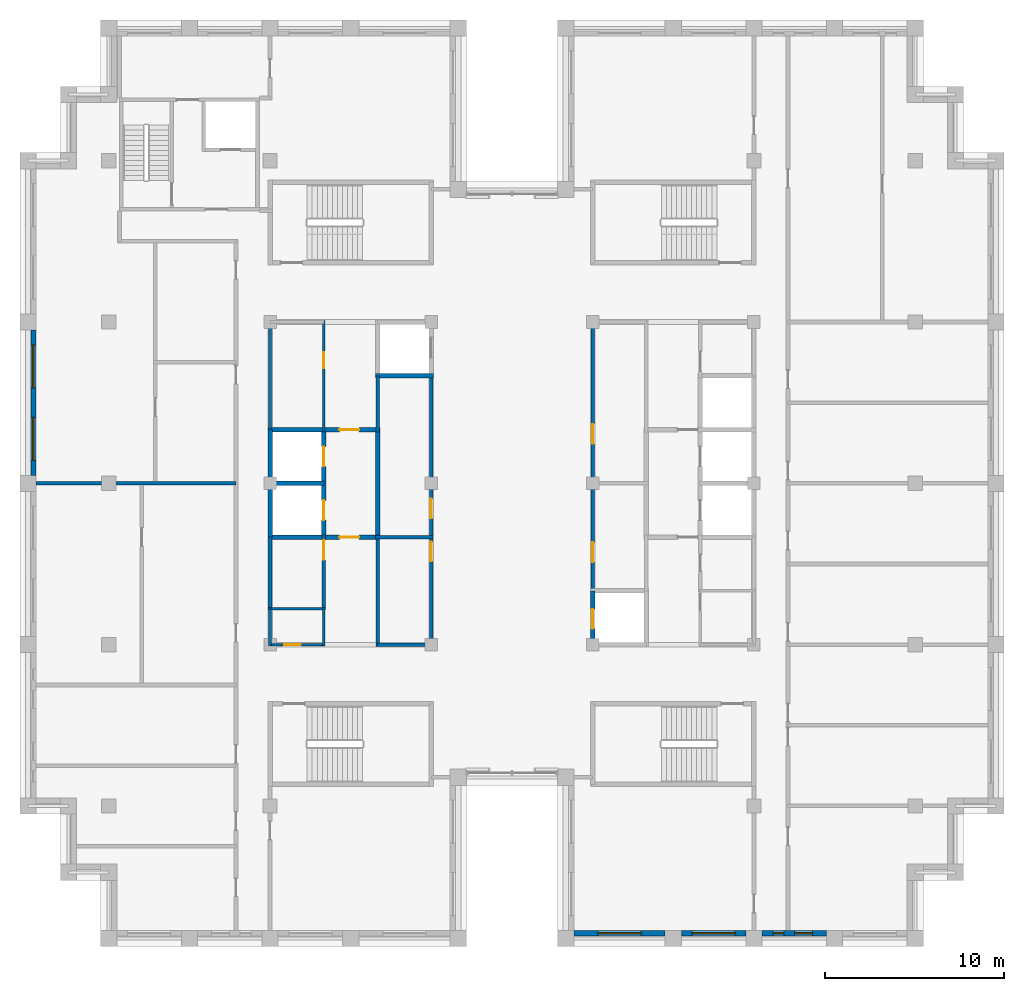
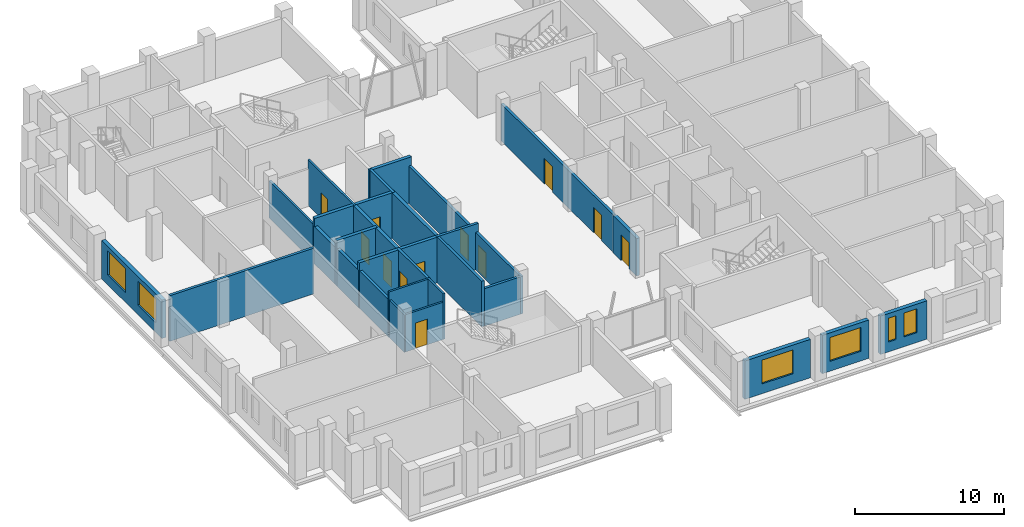
# One storey, part 7 of 13: 27 walls, 12 doors, 6 windows, 18 openings.
"""IFC4 building model written with IfcOpenShell, lengths in metres."""

from ifc_helpers import new_model, si_unit, direction, frame, frame_2d, origin, place, context, subcontext, project, spatial, rectangle, extrude, material, layer, layer_set, type_object, element, fill, save


model = new_model("IFC4")

# Units and contexts
model_context = context("Model", 3, precision=1e-05, world=origin(), true_north=direction((0.0, 1.0)))
body_context = subcontext(model_context, "Body", "Model", "MODEL_VIEW")
ifc_project = project(units=[si_unit("LENGTHUNIT", "METRE"), si_unit("AREAUNIT", "SQUARE_METRE"), si_unit("VOLUMEUNIT", "CUBIC_METRE"), si_unit("PLANEANGLEUNIT", "RADIAN"), si_unit("MASSUNIT", "GRAM", prefix="KILO")], contexts=[model_context])

# Site, building, storey
site_placement = place(None, origin())
site = spatial("IfcSite", under=ifc_project, at=site_placement, CompositionType="ELEMENT")
building_placement = place(site_placement, origin())
building = spatial("IfcBuilding", under=site, at=building_placement, Name="Corbelhall Arena Tower", CompositionType="ELEMENT")
storey_placement = place(building_placement, frame((0.0, 0.0, 342.0)))
storey = spatial("IfcBuildingStorey", under=building, at=storey_placement, Name="L75", CompositionType="ELEMENT", Elevation=342.0)

# Wall, openings, windows
ifc_material_1 = material(Name="Precast concrete C40/50 with granite facing", Category="masonry")
ifc_layer_1 = layer(ifc_material_1, 0.300048828125)
ifc_layer_set_1 = layer_set([ifc_layer_1], Name="EV-IW1 Infill panel 300")
wall_type_1 = type_object("IfcWallType", Name="EV-IW1 Infill panel 300", PredefinedType="SOLIDWALL", material=ifc_layer_set_1)
wall_1_placement = place(storey_placement, frame((-26.699951171875, 8.550048828125, 0.0), z_axis=(0.0, 0.0, 1.0), x_axis=(0.0, -1.0, 0.0)))
wall_1 = element("IfcWall", 1, at=wall_1_placement, inside=storey, type_object=wall_type_1, Name="Infill panel IW1", PredefinedType="SOLIDWALL", context=body_context, shape_type="SweptSolid", body=[
    extrude(rectangle(XDim=8.10009765625, YDim=0.300048828125, at=frame_2d((4.050048828125, 0.0))), origin(), (0.0, 0.0, 1.0), 3.139892578125),
])
opening_1_placement = place(wall_1_placement, frame((0.824951171875, 0.0, 0.800048828125)))
opening_1 = element("IfcOpeningElement", 2, at=opening_1_placement, cuts=wall_1, Name="Opening WN1", PredefinedType="OPENING", context=body_context, shape_type="SweptSolid", body=[
    extrude(rectangle(XDim=2.39990234375, YDim=1.949951171875, at=frame_2d((1.199951171875, 0.97509765625))), frame((0.0, 0.14990234375, 0.0), z_axis=(0.0, -1.0, 0.0), x_axis=(1.0, 0.0, 0.0)), (0.0, 0.0, 1.0), 0.300048828125),
])
opening_2_placement = place(wall_1_placement, frame((4.875, 0.0, 0.800048828125)))
opening_2 = element("IfcOpeningElement", 3, at=opening_2_placement, cuts=wall_1, Name="Opening WN1", PredefinedType="OPENING", context=body_context, shape_type="SweptSolid", body=[
    extrude(rectangle(XDim=2.39990234375, YDim=1.949951171875, at=frame_2d((1.199951171875, 0.97509765625))), frame((0.0, 0.14990234375, 0.0), z_axis=(0.0, -1.0, 0.0), x_axis=(1.0, 0.0, 0.0)), (0.0, 0.0, 1.0), 0.300048828125),
])
ifc_material_2 = material(Name="Aluminium black anodised", Category="aluminium")
window_type_1 = type_object("IfcWindowType", Name="EV-WN1 Office window", PartitioningType="SINGLE_PANEL", PredefinedType="WINDOW", material=ifc_material_2)
window_1_placement = place(opening_1_placement, origin())
window_1 = element("IfcWindow", 4, at=window_1_placement, inside=storey, type_object=window_type_1, Name="Window WN1", OverallHeight=1.949951171875, OverallWidth=2.39990234375, PartitioningType="SINGLE_PANEL", PredefinedType="WINDOW", context=body_context, shape_type="SweptSolid", body=[
    extrude(rectangle(XDim=2.39990234375, YDim=1.949951171875, at=frame_2d((1.199951171875, 0.97509765625))), frame((0.0, 0.030029296875, 0.0), z_axis=(0.0, -1.0, 0.0), x_axis=(1.0, 0.0, 0.0)), (0.0, 0.0, 1.0), 0.06005859375),
])
fill(opening_1, window_1)
window_2_placement = place(opening_2_placement, origin())
window_2 = element("IfcWindow", 5, at=window_2_placement, inside=storey, type_object=window_type_1, Name="Window WN1", OverallHeight=1.949951171875, OverallWidth=2.39990234375, PartitioningType="SINGLE_PANEL", PredefinedType="WINDOW", context=body_context, shape_type="SweptSolid", body=[
    extrude(rectangle(XDim=2.39990234375, YDim=1.949951171875, at=frame_2d((1.199951171875, 0.97509765625))), frame((0.0, 0.030029296875, 0.0), z_axis=(0.0, -1.0, 0.0), x_axis=(1.0, 0.0, 0.0)), (0.0, 0.0, 1.0), 0.06005859375),
])
fill(opening_2, window_2)

# Wall, opening, window
wall_2_placement = place(storey_placement, frame((3.449951171875, -25.10009765625, 0.0), z_axis=(0.0, 0.0, 1.0), x_axis=(1.0, 0.0, 0.0)))
wall_2 = element("IfcWall", 6, at=wall_2_placement, inside=storey, type_object=wall_type_1, Name="Infill panel IW1", PredefinedType="SOLIDWALL", context=body_context, shape_type="SweptSolid", body=[
    extrude(rectangle(XDim=5.10009765625, YDim=0.300048828125, at=frame_2d((2.550048828125, 0.0))), origin(), (0.0, 0.0, 1.0), 3.139892578125),
])
opening_3_placement = place(wall_2_placement, frame((1.35009765625, 0.0, 0.800048828125)))
opening_3 = element("IfcOpeningElement", 7, at=opening_3_placement, cuts=wall_2, Name="Opening WN1", PredefinedType="OPENING", context=body_context, shape_type="SweptSolid", body=[
    extrude(rectangle(XDim=2.39990234375, YDim=1.949951171875, at=frame_2d((1.199951171875, 0.97509765625))), frame((0.0, 0.14990234375, 0.0), z_axis=(0.0, -1.0, 0.0), x_axis=(1.0, 0.0, 0.0)), (0.0, 0.0, 1.0), 0.300048828125),
])
window_3_placement = place(opening_3_placement, origin())
window_3 = element("IfcWindow", 8, at=window_3_placement, inside=storey, type_object=window_type_1, Name="Window WN1", OverallHeight=1.949951171875, OverallWidth=2.39990234375, PartitioningType="SINGLE_PANEL", PredefinedType="WINDOW", context=body_context, shape_type="SweptSolid", body=[
    extrude(rectangle(XDim=2.39990234375, YDim=1.949951171875, at=frame_2d((1.199951171875, 0.97509765625))), frame((0.0, 0.030029296875, 0.0), z_axis=(0.0, -1.0, 0.0), x_axis=(1.0, 0.0, 0.0)), (0.0, 0.0, 1.0), 0.06005859375),
])
fill(opening_3, window_3)

wall_3_placement = place(storey_placement, frame((9.449951171875, -25.10009765625, 0.0), z_axis=(0.0, 0.0, 1.0), x_axis=(1.0, 0.0, 0.0)))
wall_3 = element("IfcWall", 9, at=wall_3_placement, inside=storey, type_object=wall_type_1, Name="Infill panel IW1", PredefinedType="SOLIDWALL", context=body_context, shape_type="SweptSolid", body=[
    extrude(rectangle(XDim=3.60009765625, YDim=0.300048828125, at=frame_2d((1.800048828125, 0.0))), origin(), (0.0, 0.0, 1.0), 3.139892578125),
])
opening_4_placement = place(wall_3_placement, frame((0.60009765625, 0.0, 0.800048828125)))
opening_4 = element("IfcOpeningElement", 10, at=opening_4_placement, cuts=wall_3, Name="Opening WN1", PredefinedType="OPENING", context=body_context, shape_type="SweptSolid", body=[
    extrude(rectangle(XDim=2.39990234375, YDim=1.949951171875, at=frame_2d((1.199951171875, 0.97509765625))), frame((0.0, 0.14990234375, 0.0), z_axis=(0.0, -1.0, 0.0), x_axis=(1.0, 0.0, 0.0)), (0.0, 0.0, 1.0), 0.300048828125),
])
window_4_placement = place(opening_4_placement, origin())
window_4 = element("IfcWindow", 11, at=window_4_placement, inside=storey, type_object=window_type_1, Name="Window WN1", OverallHeight=1.949951171875, OverallWidth=2.39990234375, PartitioningType="SINGLE_PANEL", PredefinedType="WINDOW", context=body_context, shape_type="SweptSolid", body=[
    extrude(rectangle(XDim=2.39990234375, YDim=1.949951171875, at=frame_2d((1.199951171875, 0.97509765625))), frame((0.0, 0.030029296875, 0.0), z_axis=(0.0, -1.0, 0.0), x_axis=(1.0, 0.0, 0.0)), (0.0, 0.0, 1.0), 0.06005859375),
])
fill(opening_4, window_4)

# Wall, openings, windows
wall_4_placement = place(storey_placement, frame((13.949951171875, -25.10009765625, 0.0), z_axis=(0.0, 0.0, 1.0), x_axis=(1.0, 0.0, 0.0)))
wall_4 = element("IfcWall", 12, at=wall_4_placement, inside=storey, type_object=wall_type_1, Name="Infill panel IW1", PredefinedType="SOLIDWALL", context=body_context, shape_type="SweptSolid", body=[
    extrude(rectangle(XDim=3.60009765625, YDim=0.300048828125, at=frame_2d((1.800048828125, 0.0))), origin(), (0.0, 0.0, 1.0), 3.139892578125),
])
opening_5_placement = place(wall_4_placement, frame((0.625, 0.0, 0.800048828125)))
opening_5 = element("IfcOpeningElement", 13, at=opening_5_placement, cuts=wall_4, Name="Opening WN5", PredefinedType="OPENING", context=body_context, shape_type="SweptSolid", body=[
    extrude(rectangle(XDim=0.60009765625, YDim=1.949951171875, at=frame_2d((0.300048828125, 0.97509765625))), frame((0.0, 0.14990234375, 0.0), z_axis=(0.0, -1.0, 0.0), x_axis=(1.0, 0.0, 0.0)), (0.0, 0.0, 1.0), 0.300048828125),
])
opening_6_placement = place(wall_4_placement, frame((1.824951171875, 0.0, 0.800048828125)))
opening_6 = element("IfcOpeningElement", 14, at=opening_6_placement, cuts=wall_4, Name="Opening WN6", PredefinedType="OPENING", context=body_context, shape_type="SweptSolid", body=[
    extrude(rectangle(XDim=1.0, YDim=1.949951171875, at=frame_2d((0.5, 0.97509765625))), frame((0.0, 0.14990234375, 0.0), z_axis=(0.0, -1.0, 0.0), x_axis=(1.0, 0.0, 0.0)), (0.0, 0.0, 1.0), 0.300048828125),
])
window_type_2 = type_object("IfcWindowType", Name="EV-WN5 Office window 600", PartitioningType="SINGLE_PANEL", PredefinedType="WINDOW", material=ifc_material_2)
window_5_placement = place(opening_5_placement, origin())
window_5 = element("IfcWindow", 15, at=window_5_placement, inside=storey, type_object=window_type_2, Name="Window WN5", OverallHeight=1.949951171875, OverallWidth=0.60009765625, PartitioningType="SINGLE_PANEL", PredefinedType="WINDOW", context=body_context, shape_type="SweptSolid", body=[
    extrude(rectangle(XDim=0.60009765625, YDim=1.949951171875, at=frame_2d((0.300048828125, 0.97509765625))), frame((0.0, 0.030029296875, 0.0), z_axis=(0.0, -1.0, 0.0), x_axis=(1.0, 0.0, 0.0)), (0.0, 0.0, 1.0), 0.06005859375),
])
fill(opening_5, window_5)
window_type_3 = type_object("IfcWindowType", Name="EV-WN6 Office window 1000", PartitioningType="SINGLE_PANEL", PredefinedType="WINDOW", material=ifc_material_2)
window_6_placement = place(opening_6_placement, origin())
window_6 = element("IfcWindow", 16, at=window_6_placement, inside=storey, type_object=window_type_3, Name="Window WN6", OverallHeight=1.949951171875, OverallWidth=1.0, PartitioningType="SINGLE_PANEL", PredefinedType="WINDOW", context=body_context, shape_type="SweptSolid", body=[
    extrude(rectangle(XDim=1.0, YDim=1.949951171875, at=frame_2d((0.5, 0.97509765625))), frame((0.0, 0.030029296875, 0.0), z_axis=(0.0, -1.0, 0.0), x_axis=(1.0, 0.0, 0.0)), (0.0, 0.0, 1.0), 0.06005859375),
])
fill(opening_6, window_6)

# Wall
ifc_material_3 = material(Name="Gypsum board on steel stud, acoustic", Category="steel")
ifc_layer_2 = layer(ifc_material_3, 0.199951171875)
ifc_layer_set_2 = layer_set([ifc_layer_2], Name="IN-W-DM200")
wall_type_2 = type_object("IfcWallType", Name="IN-W-DM200", PredefinedType="PARTITIONING", material=ifc_layer_set_2)
wall_5_placement = place(storey_placement, frame((-15.39990234375, 0.0, 0.0), z_axis=(0.0, 0.0, 1.0), x_axis=(-1.0, 0.0, 0.0)))
element("IfcWall", 17, at=wall_5_placement, inside=storey, type_object=wall_type_2, Name="Partition 007", PredefinedType="PARTITIONING", context=body_context, shape_type="SweptSolid", body=[
    extrude(rectangle(XDim=11.150146484375, YDim=0.199951171875, at=frame_2d((5.5751953125, 0.0))), origin(), (0.0, 0.0, 1.0), 3.739990234375),
])

# Wall, opening, door
ifc_material_4 = material(Name="Concrete block wall", Category="concrete")
ifc_layer_3 = layer(ifc_material_4, 0.199951171875)
ifc_layer_set_3 = layer_set([ifc_layer_3], Name="IN-W-RS200")
wall_type_3 = type_object("IfcWallType", Name="IN-W-RS200", PredefinedType="SOLIDWALL", material=ifc_layer_set_3)
wall_6_placement = place(storey_placement, frame((-10.5, -7.074951171875, 0.0), z_axis=(0.0, 0.0, 1.0), x_axis=(0.0, 1.0, 0.0)))
wall_6 = element("IfcWall", 18, at=wall_6_placement, inside=storey, type_object=wall_type_3, Name="Partition 032", PredefinedType="SOLIDWALL", context=body_context, shape_type="SweptSolid", body=[
    extrude(rectangle(XDim=4.199951171875, YDim=0.199951171875, at=frame_2d((2.10009765625, 0.0))), origin(), (0.0, 0.0, 1.0), 3.739990234375),
])
opening_7_placement = place(wall_6_placement, frame((2.800048828125, 0.0, 0.0)))
opening_7 = element("IfcOpeningElement", 19, at=opening_7_placement, cuts=wall_6, Name="Opening 24006", PredefinedType="OPENING", context=body_context, shape_type="SweptSolid", body=[
    extrude(rectangle(XDim=1.10009765625, YDim=2.10009765625, at=frame_2d((0.550048828125, 1.050048828125))), frame((0.0, 0.10009765625, 0.0), z_axis=(0.0, -1.0, 0.0), x_axis=(1.0, 0.0, 0.0)), (0.0, 0.0, 1.0), 0.199951171875),
])
ifc_material_5 = material(Name="Steel door set", Category="steel")
door_type_1 = type_object("IfcDoorType", Name="IN-D-FD110", OperationType="NOTDEFINED", PredefinedType="DOOR", material=ifc_material_5)
door_1_placement = place(opening_7_placement, origin())
door_1 = element("IfcDoor", 20, at=door_1_placement, inside=storey, type_object=door_type_1, Name="Door 006", OperationType="SINGLE_SWING_LEFT", OverallHeight=2.10009765625, OverallWidth=1.10009765625, PredefinedType="DOOR", context=body_context, shape_type="SweptSolid", body=[
    extrude(rectangle(XDim=1.10009765625, YDim=2.10009765625, at=frame_2d((0.550048828125, 1.050048828125))), frame((0.0, 0.02490234375, 0.0), z_axis=(0.0, -1.0, 0.0), x_axis=(1.0, 0.0, 0.0)), (0.0, 0.0, 1.0), 0.050048828125),
])
fill(opening_7, door_1)

# Walls
wall_7_placement = place(storey_placement, frame((-7.625, -3.0, 0.0), z_axis=(0.0, 0.0, 1.0), x_axis=(1.0, 0.0, 0.0)))
element("IfcWall", 21, at=wall_7_placement, inside=storey, type_object=wall_type_3, Name="Partition 033", PredefinedType="SOLIDWALL", context=body_context, shape_type="SweptSolid", body=[
    extrude(rectangle(XDim=3.22509765625, YDim=0.199951171875, at=frame_2d((1.612548828125, 0.0))), origin(), (0.0, 0.0, 1.0), 3.739990234375),
])
wall_8_placement = place(storey_placement, frame((-7.5, -9.10009765625, 0.0), z_axis=(0.0, 0.0, 1.0), x_axis=(0.0, 1.0, 0.0)))
element("IfcWall", 22, at=wall_8_placement, inside=storey, type_object=wall_type_3, Name="Partition 034", PredefinedType="SOLIDWALL", context=body_context, shape_type="SweptSolid", body=[
    extrude(rectangle(XDim=6.22509765625, YDim=0.199951171875, at=frame_2d((3.112548828125, 0.0))), origin(), (0.0, 0.0, 1.0), 3.739990234375),
])
wall_9_placement = place(storey_placement, frame((-7.5, 2.875, 0.0), z_axis=(0.0, 0.0, 1.0), x_axis=(0.0, 1.0, 0.0)))
element("IfcWall", 23, at=wall_9_placement, inside=storey, type_object=wall_type_3, Name="Partition 035", PredefinedType="SOLIDWALL", context=body_context, shape_type="SweptSolid", body=[
    extrude(rectangle(XDim=3.125, YDim=0.199951171875, at=frame_2d((1.5625, 0.0))), origin(), (0.0, 0.0, 1.0), 3.739990234375),
])
ifc_layer_4 = layer(ifc_material_4, 0.199951171875)
ifc_layer_set_4 = layer_set([ifc_layer_4], Name="IN-W-RS200 under beam 678 mm")
wall_type_4 = type_object("IfcWallType", Name="IN-W-RS200 under beam 678 mm", PredefinedType="SOLIDWALL", material=ifc_layer_set_4)
wall_10_placement = place(storey_placement, frame((-13.5, -7.0, 0.0), z_axis=(0.0, 0.0, 1.0), x_axis=(0.0, 1.0, 0.0)))
element("IfcWall", 24, at=wall_10_placement, inside=storey, type_object=wall_type_4, Name="Partition 031", PredefinedType="SOLIDWALL", context=body_context, shape_type="SweptSolid", body=[
    extrude(rectangle(XDim=4.0, YDim=0.199951171875, at=frame_2d((2.0, 0.0))), origin(), (0.0, 0.0, 1.0), 3.061767578125),
])
wall_11_placement = place(storey_placement, frame((-4.5, -9.0, 0.0), z_axis=(0.0, 0.0, 1.0), x_axis=(-1.0, 0.0, 0.0)))
element("IfcWall", 25, at=wall_11_placement, inside=storey, type_object=wall_type_4, Name="Partition 036", PredefinedType="SOLIDWALL", context=body_context, shape_type="SweptSolid", body=[
    extrude(rectangle(XDim=3.0, YDim=0.199951171875, at=frame_2d((1.5, 0.0))), origin(), (0.0, 0.0, 1.0), 3.061767578125),
])

# Wall, openings, doors
wall_12_placement = place(storey_placement, frame((-4.5, 6.0, 0.0), z_axis=(0.0, 0.0, 1.0), x_axis=(0.0, -1.0, 0.0)))
wall_12 = element("IfcWall", 26, at=wall_12_placement, inside=storey, type_object=wall_type_4, Name="Partition 037", PredefinedType="SOLIDWALL", context=body_context, shape_type="SweptSolid", body=[
    extrude(rectangle(XDim=15.10009765625, YDim=0.199951171875, at=frame_2d((7.550048828125, 0.0))), origin(), (0.0, 0.0, 1.0), 3.061767578125),
])
opening_8_placement = place(wall_12_placement, frame((9.25, 0.0, 0.0)))
opening_8 = element("IfcOpeningElement", 27, at=opening_8_placement, cuts=wall_12, Name="Opening 24001", PredefinedType="OPENING", context=body_context, shape_type="SweptSolid", body=[
    extrude(rectangle(XDim=1.10009765625, YDim=2.10009765625, at=frame_2d((0.550048828125, 1.050048828125))), frame((0.0, 0.10009765625, 0.0), z_axis=(0.0, -1.0, 0.0), x_axis=(1.0, 0.0, 0.0)), (0.0, 0.0, 1.0), 0.199951171875),
])
opening_9_placement = place(wall_12_placement, frame((6.85009765625, 0.0, 0.0)))
opening_9 = element("IfcOpeningElement", 28, at=opening_9_placement, cuts=wall_12, Name="Opening 24002", PredefinedType="OPENING", context=body_context, shape_type="SweptSolid", body=[
    extrude(rectangle(XDim=1.10009765625, YDim=2.10009765625, at=frame_2d((0.550048828125, 1.050048828125))), frame((0.0, 0.10009765625, 0.0), z_axis=(0.0, -1.0, 0.0), x_axis=(1.0, 0.0, 0.0)), (0.0, 0.0, 1.0), 0.199951171875),
])
door_2_placement = place(opening_8_placement, origin())
door_2 = element("IfcDoor", 29, at=door_2_placement, inside=storey, type_object=door_type_1, Name="Door 001", OperationType="SINGLE_SWING_RIGHT", OverallHeight=2.10009765625, OverallWidth=1.10009765625, PredefinedType="DOOR", context=body_context, shape_type="SweptSolid", body=[
    extrude(rectangle(XDim=1.10009765625, YDim=2.10009765625, at=frame_2d((0.550048828125, 1.050048828125))), frame((0.0, 0.02490234375, 0.0), z_axis=(0.0, -1.0, 0.0), x_axis=(1.0, 0.0, 0.0)), (0.0, 0.0, 1.0), 0.050048828125),
])
fill(opening_8, door_2)
door_3_placement = place(opening_9_placement, origin())
door_3 = element("IfcDoor", 30, at=door_3_placement, inside=storey, type_object=door_type_1, Name="Door 002", OperationType="SINGLE_SWING_LEFT", OverallHeight=2.10009765625, OverallWidth=1.10009765625, PredefinedType="DOOR", context=body_context, shape_type="SweptSolid", body=[
    extrude(rectangle(XDim=1.10009765625, YDim=2.10009765625, at=frame_2d((0.550048828125, 1.050048828125))), frame((0.0, 0.02490234375, 0.0), z_axis=(0.0, -1.0, 0.0), x_axis=(1.0, 0.0, 0.0)), (0.0, 0.0, 1.0), 0.050048828125),
])
fill(opening_9, door_3)

wall_13_placement = place(storey_placement, frame((4.5, -6.0, 0.0), z_axis=(0.0, 0.0, 1.0), x_axis=(0.0, 1.0, 0.0)))
wall_13 = element("IfcWall", 31, at=wall_13_placement, inside=storey, type_object=wall_type_4, Name="Partition 039", PredefinedType="SOLIDWALL", context=body_context, shape_type="SweptSolid", body=[
    extrude(rectangle(XDim=15.10009765625, YDim=0.199951171875, at=frame_2d((7.550048828125, 0.0))), origin(), (0.0, 0.0, 1.0), 3.061767578125),
])
opening_10_placement = place(wall_13_placement, frame((1.60009765625, 0.0, 0.0)))
opening_10 = element("IfcOpeningElement", 32, at=opening_10_placement, cuts=wall_13, Name="Opening 24008", PredefinedType="OPENING", context=body_context, shape_type="SweptSolid", body=[
    extrude(rectangle(XDim=1.10009765625, YDim=2.10009765625, at=frame_2d((0.550048828125, 1.050048828125))), frame((0.0, 0.10009765625, 0.0), z_axis=(0.0, -1.0, 0.0), x_axis=(1.0, 0.0, 0.0)), (0.0, 0.0, 1.0), 0.199951171875),
])
opening_11_placement = place(wall_13_placement, frame((8.199951171875, 0.0, 0.0)))
opening_11 = element("IfcOpeningElement", 33, at=opening_11_placement, cuts=wall_13, Name="Opening 24009", PredefinedType="OPENING", context=body_context, shape_type="SweptSolid", body=[
    extrude(rectangle(XDim=1.10009765625, YDim=2.10009765625, at=frame_2d((0.550048828125, 1.050048828125))), frame((0.0, 0.10009765625, 0.0), z_axis=(0.0, -1.0, 0.0), x_axis=(1.0, 0.0, 0.0)), (0.0, 0.0, 1.0), 0.199951171875),
])
door_4_placement = place(opening_10_placement, origin())
door_4 = element("IfcDoor", 34, at=door_4_placement, inside=storey, type_object=door_type_1, Name="Door 008", OperationType="SINGLE_SWING_LEFT", OverallHeight=2.10009765625, OverallWidth=1.10009765625, PredefinedType="DOOR", context=body_context, shape_type="SweptSolid", body=[
    extrude(rectangle(XDim=1.10009765625, YDim=2.10009765625, at=frame_2d((0.550048828125, 1.050048828125))), frame((0.0, 0.02490234375, 0.0), z_axis=(0.0, -1.0, 0.0), x_axis=(1.0, 0.0, 0.0)), (0.0, 0.0, 1.0), 0.050048828125),
])
fill(opening_10, door_4)
door_5_placement = place(opening_11_placement, origin())
door_5 = element("IfcDoor", 35, at=door_5_placement, inside=storey, type_object=door_type_1, Name="Door 009", OperationType="SINGLE_SWING_RIGHT", OverallHeight=2.10009765625, OverallWidth=1.10009765625, PredefinedType="DOOR", context=body_context, shape_type="SweptSolid", body=[
    extrude(rectangle(XDim=1.10009765625, YDim=2.10009765625, at=frame_2d((0.550048828125, 1.050048828125))), frame((0.0, 0.02490234375, 0.0), z_axis=(0.0, -1.0, 0.0), x_axis=(1.0, 0.0, 0.0)), (0.0, 0.0, 1.0), 0.050048828125),
])
fill(opening_11, door_5)

# Wall
ifc_material_6 = material(Name="Concrete C40/50", Category="concrete")
ifc_layer_5 = layer(ifc_material_6, 0.25)
ifc_layer_set_5 = layer_set([ifc_layer_5], Name="IN-W-SH250")
wall_type_5 = type_object("IfcWallType", Name="IN-W-SH250", PredefinedType="SOLIDWALL", material=ifc_layer_set_5)
wall_14_placement = place(storey_placement, frame((-13.625, 0.0, 0.0), z_axis=(0.0, 0.0, 1.0), x_axis=(1.0, 0.0, 0.0)))
element("IfcWall", 36, at=wall_14_placement, inside=storey, type_object=wall_type_5, Name="Shaft wall 048", PredefinedType="SOLIDWALL", context=body_context, shape_type="SweptSolid", body=[
    extrude(rectangle(XDim=3.125, YDim=0.25, at=frame_2d((1.5625, 0.0))), origin(), (0.0, 0.0, 1.0), 3.739990234375),
])

# Wall, opening, door
wall_15_placement = place(storey_placement, frame((-13.625, 3.0, 0.0), z_axis=(0.0, 0.0, 1.0), x_axis=(1.0, 0.0, 0.0)))
wall_15 = element("IfcWall", 37, at=wall_15_placement, inside=storey, type_object=wall_type_5, Name="Shaft wall 049", PredefinedType="SOLIDWALL", context=body_context, shape_type="SweptSolid", body=[
    extrude(rectangle(XDim=6.125, YDim=0.25, at=frame_2d((3.0625, 0.0))), origin(), (0.0, 0.0, 1.0), 3.739990234375),
])
opening_12_placement = place(wall_15_placement, frame((4.0, 0.0, 0.0)))
opening_12 = element("IfcOpeningElement", 38, at=opening_12_placement, cuts=wall_15, Name="Opening 24004", PredefinedType="OPENING", context=body_context, shape_type="SweptSolid", body=[
    extrude(rectangle(XDim=1.10009765625, YDim=2.10009765625, at=frame_2d((0.550048828125, 1.050048828125))), frame((0.0, 0.125, 0.0), z_axis=(0.0, -1.0, 0.0), x_axis=(1.0, 0.0, 0.0)), (0.0, 0.0, 1.0), 0.25),
])
door_6_placement = place(opening_12_placement, origin())
door_6 = element("IfcDoor", 39, at=door_6_placement, inside=storey, type_object=door_type_1, Name="Door 004", OperationType="SINGLE_SWING_LEFT", OverallHeight=2.10009765625, OverallWidth=1.10009765625, PredefinedType="DOOR", context=body_context, shape_type="SweptSolid", body=[
    extrude(rectangle(XDim=1.10009765625, YDim=2.10009765625, at=frame_2d((0.550048828125, 1.050048828125))), frame((0.0, 0.02490234375, 0.0), z_axis=(0.0, -1.0, 0.0), x_axis=(1.0, 0.0, 0.0)), (0.0, 0.0, 1.0), 0.050048828125),
])
fill(opening_12, door_6)

wall_16_placement = place(storey_placement, frame((-13.625, -3.0, 0.0), z_axis=(0.0, 0.0, 1.0), x_axis=(1.0, 0.0, 0.0)))
wall_16 = element("IfcWall", 40, at=wall_16_placement, inside=storey, type_object=wall_type_5, Name="Shaft wall 051", PredefinedType="SOLIDWALL", context=body_context, shape_type="SweptSolid", body=[
    extrude(rectangle(XDim=6.125, YDim=0.25, at=frame_2d((3.0625, 0.0))), origin(), (0.0, 0.0, 1.0), 3.739990234375),
])
opening_13_placement = place(wall_16_placement, frame((4.0, 0.0, 0.0)))
opening_13 = element("IfcOpeningElement", 41, at=opening_13_placement, cuts=wall_16, Name="Opening 24003", PredefinedType="OPENING", context=body_context, shape_type="SweptSolid", body=[
    extrude(rectangle(XDim=1.10009765625, YDim=2.10009765625, at=frame_2d((0.550048828125, 1.050048828125))), frame((0.0, 0.125, 0.0), z_axis=(0.0, -1.0, 0.0), x_axis=(1.0, 0.0, 0.0)), (0.0, 0.0, 1.0), 0.25),
])
door_7_placement = place(opening_13_placement, origin())
door_7 = element("IfcDoor", 42, at=door_7_placement, inside=storey, type_object=door_type_1, Name="Door 003", OperationType="SINGLE_SWING_RIGHT", OverallHeight=2.10009765625, OverallWidth=1.10009765625, PredefinedType="DOOR", context=body_context, shape_type="SweptSolid", body=[
    extrude(rectangle(XDim=1.10009765625, YDim=2.10009765625, at=frame_2d((0.550048828125, 1.050048828125))), frame((0.0, 0.02490234375, 0.0), z_axis=(0.0, -1.0, 0.0), x_axis=(1.0, 0.0, 0.0)), (0.0, 0.0, 1.0), 0.050048828125),
])
fill(opening_13, door_7)

# Wall, openings, doors
wall_17_placement = place(storey_placement, frame((-10.5, -3.125, 0.0), z_axis=(0.0, 0.0, 1.0), x_axis=(0.0, 1.0, 0.0)))
wall_17 = element("IfcWall", 43, at=wall_17_placement, inside=storey, type_object=wall_type_5, Name="Shaft wall 052", PredefinedType="SOLIDWALL", context=body_context, shape_type="SweptSolid", body=[
    extrude(rectangle(XDim=6.25, YDim=0.25, at=frame_2d((3.125, 0.0))), origin(), (0.0, 0.0, 1.0), 3.739990234375),
])
opening_14_placement = place(wall_17_placement, frame((1.074951171875, 0.0, 0.0)))
opening_14 = element("IfcOpeningElement", 44, at=opening_14_placement, cuts=wall_17, Name="Opening LD", PredefinedType="OPENING", context=body_context, shape_type="SweptSolid", body=[
    extrude(rectangle(XDim=1.10009765625, YDim=2.10009765625, at=frame_2d((0.550048828125, 1.050048828125))), frame((0.0, 0.125, 0.0), z_axis=(0.0, -1.0, 0.0), x_axis=(1.0, 0.0, 0.0)), (0.0, 0.0, 1.0), 0.25),
])
opening_15_placement = place(wall_17_placement, frame((4.074951171875, 0.0, 0.0)))
opening_15 = element("IfcOpeningElement", 45, at=opening_15_placement, cuts=wall_17, Name="Opening LD", PredefinedType="OPENING", context=body_context, shape_type="SweptSolid", body=[
    extrude(rectangle(XDim=1.10009765625, YDim=2.10009765625, at=frame_2d((0.550048828125, 1.050048828125))), frame((0.0, 0.125, 0.0), z_axis=(0.0, -1.0, 0.0), x_axis=(1.0, 0.0, 0.0)), (0.0, 0.0, 1.0), 0.25),
])
door_type_2 = type_object("IfcDoorType", Name="IN-D-LD110", OperationType="NOTDEFINED", PredefinedType="DOOR", material=ifc_material_5)
door_8_placement = place(opening_14_placement, origin())
door_8 = element("IfcDoor", 46, at=door_8_placement, inside=storey, type_object=door_type_2, Name="Landing door W3", OperationType="SLIDING_TO_LEFT", OverallHeight=2.10009765625, OverallWidth=1.10009765625, PredefinedType="DOOR", context=body_context, shape_type="SweptSolid", body=[
    extrude(rectangle(XDim=1.10009765625, YDim=2.10009765625, at=frame_2d((0.550048828125, 1.050048828125))), frame((0.0, 0.02490234375, 0.0), z_axis=(0.0, -1.0, 0.0), x_axis=(1.0, 0.0, 0.0)), (0.0, 0.0, 1.0), 0.050048828125),
])
fill(opening_14, door_8)
door_9_placement = place(opening_15_placement, origin())
door_9 = element("IfcDoor", 47, at=door_9_placement, inside=storey, type_object=door_type_2, Name="Landing door W4", OperationType="SLIDING_TO_LEFT", OverallHeight=2.10009765625, OverallWidth=1.10009765625, PredefinedType="DOOR", context=body_context, shape_type="SweptSolid", body=[
    extrude(rectangle(XDim=1.10009765625, YDim=2.10009765625, at=frame_2d((0.550048828125, 1.050048828125))), frame((0.0, 0.02490234375, 0.0), z_axis=(0.0, -1.0, 0.0), x_axis=(1.0, 0.0, 0.0)), (0.0, 0.0, 1.0), 0.050048828125),
])
fill(opening_15, door_9)

# Walls
wall_18_placement = place(storey_placement, frame((-7.625, 6.0, 0.0), z_axis=(0.0, 0.0, 1.0), x_axis=(1.0, 0.0, 0.0)))
element("IfcWall", 48, at=wall_18_placement, inside=storey, type_object=wall_type_5, Name="Shaft wall 053", PredefinedType="SOLIDWALL", context=body_context, shape_type="SweptSolid", body=[
    extrude(rectangle(XDim=3.25, YDim=0.25, at=frame_2d((1.625, 0.0))), origin(), (0.0, 0.0, 1.0), 3.739990234375),
])
wall_19_placement = place(storey_placement, frame((-7.5, -3.125, 0.0), z_axis=(0.0, 0.0, 1.0), x_axis=(0.0, 1.0, 0.0)))
element("IfcWall", 49, at=wall_19_placement, inside=storey, type_object=wall_type_5, Name="Shaft wall 054", PredefinedType="SOLIDWALL", context=body_context, shape_type="SweptSolid", body=[
    extrude(rectangle(XDim=6.25, YDim=0.25, at=frame_2d((3.125, 0.0))), origin(), (0.0, 0.0, 1.0), 3.739990234375),
])
ifc_layer_6 = layer(ifc_material_6, 0.25)
ifc_layer_set_6 = layer_set([ifc_layer_6], Name="IN-W-SH250 under beam 678 mm")
wall_type_6 = type_object("IfcWallType", Name="IN-W-SH250 under beam 678 mm", PredefinedType="SOLIDWALL", material=ifc_layer_set_6)
wall_20_placement = place(storey_placement, frame((-13.5, -3.0, 0.0), z_axis=(0.0, 0.0, 1.0), x_axis=(0.0, 1.0, 0.0)))
element("IfcWall", 50, at=wall_20_placement, inside=storey, type_object=wall_type_6, Name="Shaft wall 050", PredefinedType="SOLIDWALL", context=body_context, shape_type="SweptSolid", body=[
    extrude(rectangle(XDim=6.0, YDim=0.25, at=frame_2d((3.0, 0.0))), origin(), (0.0, 0.0, 1.0), 3.061767578125),
])

# Wall, opening, door
wall_21_placement = place(storey_placement, frame((4.5, -9.125, 0.0), z_axis=(0.0, 0.0, 1.0), x_axis=(0.0, 1.0, 0.0)))
wall_21 = element("IfcWall", 51, at=wall_21_placement, inside=storey, type_object=wall_type_6, Name="Shaft wall 059", PredefinedType="SOLIDWALL", context=body_context, shape_type="SweptSolid", body=[
    extrude(rectangle(XDim=3.125, YDim=0.25, at=frame_2d((1.5625, 0.0))), origin(), (0.0, 0.0, 1.0), 3.061767578125),
])
opening_16_placement = place(wall_21_placement, frame((1.012451171875, 0.0, 0.0)))
opening_16 = element("IfcOpeningElement", 52, at=opening_16_placement, cuts=wall_21, Name="Opening LD", PredefinedType="OPENING", context=body_context, shape_type="SweptSolid", body=[
    extrude(rectangle(XDim=1.10009765625, YDim=2.10009765625, at=frame_2d((0.550048828125, 1.050048828125))), frame((0.0, 0.125, 0.0), z_axis=(0.0, -1.0, 0.0), x_axis=(1.0, 0.0, 0.0)), (0.0, 0.0, 1.0), 0.25),
])
door_10_placement = place(opening_16_placement, origin())
door_10 = element("IfcDoor", 53, at=door_10_placement, inside=storey, type_object=door_type_2, Name="Landing door E1", OperationType="SLIDING_TO_LEFT", OverallHeight=2.10009765625, OverallWidth=1.10009765625, PredefinedType="DOOR", context=body_context, shape_type="SweptSolid", body=[
    extrude(rectangle(XDim=1.10009765625, YDim=2.10009765625, at=frame_2d((0.550048828125, 1.050048828125))), frame((0.0, 0.02490234375, 0.0), z_axis=(0.0, -1.0, 0.0), x_axis=(1.0, 0.0, 0.0)), (0.0, 0.0, 1.0), 0.050048828125),
])
fill(opening_16, door_10)

# Walls
ifc_material_7 = material(Name="Gypsum board on steel stud, moisture resistant", Category="steel")
ifc_layer_7 = layer(ifc_material_7, 0.14990234375)
ifc_layer_set_7 = layer_set([ifc_layer_7], Name="IN-W-WC150")
wall_type_7 = type_object("IfcWallType", Name="IN-W-WC150", PredefinedType="PARTITIONING", material=ifc_layer_set_7)
wall_22_placement = place(storey_placement, frame((-13.60009765625, -7.0, 0.0), z_axis=(0.0, 0.0, 1.0), x_axis=(1.0, 0.0, 0.0)))
element("IfcWall", 54, at=wall_22_placement, inside=storey, type_object=wall_type_7, Name="Partition 085", PredefinedType="PARTITIONING", context=body_context, shape_type="SweptSolid", body=[
    extrude(rectangle(XDim=3.10009765625, YDim=0.14990234375, at=frame_2d((1.550048828125, 0.0))), origin(), (0.0, 0.0, 1.0), 3.739990234375),
])
wall_23_placement = place(storey_placement, frame((-10.5, -9.074951171875, 0.0), z_axis=(0.0, 0.0, 1.0), x_axis=(0.0, 1.0, 0.0)))
element("IfcWall", 55, at=wall_23_placement, inside=storey, type_object=wall_type_7, Name="Partition 089", PredefinedType="PARTITIONING", context=body_context, shape_type="SweptSolid", body=[
    extrude(rectangle(XDim=2.14990234375, YDim=0.14990234375, at=frame_2d((1.074951171875, 0.0))), origin(), (0.0, 0.0, 1.0), 3.739990234375),
])

# Wall, opening, door
wall_24_placement = place(storey_placement, frame((-10.5, 2.875, 0.0), z_axis=(0.0, 0.0, 1.0), x_axis=(0.0, 1.0, 0.0)))
wall_24 = element("IfcWall", 56, at=wall_24_placement, inside=storey, type_object=wall_type_7, Name="Partition 091", PredefinedType="PARTITIONING", context=body_context, shape_type="SweptSolid", body=[
    extrude(rectangle(XDim=6.199951171875, YDim=0.14990234375, at=frame_2d((3.10009765625, 0.0))), origin(), (0.0, 0.0, 1.0), 3.739990234375),
])
opening_17_placement = place(wall_24_placement, frame((3.550048828125, 0.0, 0.0)))
opening_17 = element("IfcOpeningElement", 57, at=opening_17_placement, cuts=wall_24, Name="Opening 24007", PredefinedType="OPENING", context=body_context, shape_type="SweptSolid", body=[
    extrude(rectangle(XDim=0.89990234375, YDim=2.10009765625, at=frame_2d((0.449951171875, 1.050048828125))), frame((0.0, 0.074951171875, 0.0), z_axis=(0.0, -1.0, 0.0), x_axis=(1.0, 0.0, 0.0)), (0.0, 0.0, 1.0), 0.14990234375),
])
ifc_material_8 = material(Name="Timber door set", Category="wood")
door_type_3 = type_object("IfcDoorType", Name="IN-D-SW90", OperationType="NOTDEFINED", PredefinedType="DOOR", material=ifc_material_8)
door_11_placement = place(opening_17_placement, origin())
door_11 = element("IfcDoor", 58, at=door_11_placement, inside=storey, type_object=door_type_3, Name="Door 007", OperationType="SINGLE_SWING_RIGHT", OverallHeight=2.10009765625, OverallWidth=0.89990234375, PredefinedType="DOOR", context=body_context, shape_type="SweptSolid", body=[
    extrude(rectangle(XDim=0.89990234375, YDim=2.10009765625, at=frame_2d((0.449951171875, 1.050048828125))), frame((0.0, 0.02490234375, 0.0), z_axis=(0.0, -1.0, 0.0), x_axis=(1.0, 0.0, 0.0)), (0.0, 0.0, 1.0), 0.050048828125),
])
fill(opening_17, door_11)

# Walls
ifc_layer_8 = layer(ifc_material_7, 0.14990234375)
ifc_layer_set_8 = layer_set([ifc_layer_8], Name="IN-W-WC150 under beam 678 mm")
wall_type_8 = type_object("IfcWallType", Name="IN-W-WC150 under beam 678 mm", PredefinedType="PARTITIONING", material=ifc_layer_set_8)
wall_25_placement = place(storey_placement, frame((-13.5, -9.074951171875, 0.0), z_axis=(0.0, 0.0, 1.0), x_axis=(0.0, 1.0, 0.0)))
element("IfcWall", 59, at=wall_25_placement, inside=storey, type_object=wall_type_8, Name="Partition 086", PredefinedType="PARTITIONING", context=body_context, shape_type="SweptSolid", body=[
    extrude(rectangle(XDim=2.074951171875, YDim=0.14990234375, at=frame_2d((1.03759765625, 0.0))), origin(), (0.0, 0.0, 1.0), 3.061767578125),
])
wall_26_placement = place(storey_placement, frame((-13.5, 3.0, 0.0), z_axis=(0.0, 0.0, 1.0), x_axis=(0.0, 1.0, 0.0)))
element("IfcWall", 60, at=wall_26_placement, inside=storey, type_object=wall_type_8, Name="Partition 087", PredefinedType="PARTITIONING", context=body_context, shape_type="SweptSolid", body=[
    extrude(rectangle(XDim=6.074951171875, YDim=0.14990234375, at=frame_2d((3.03759765625, 0.0))), origin(), (0.0, 0.0, 1.0), 3.061767578125),
])

# Wall, opening, door
wall_27_placement = place(storey_placement, frame((-10.5, -9.0, 0.0), z_axis=(0.0, 0.0, 1.0), x_axis=(-1.0, 0.0, 0.0)))
wall_27 = element("IfcWall", 61, at=wall_27_placement, inside=storey, type_object=wall_type_8, Name="Partition 090", PredefinedType="PARTITIONING", context=body_context, shape_type="SweptSolid", body=[
    extrude(rectangle(XDim=3.0, YDim=0.14990234375, at=frame_2d((1.5, 0.0))), origin(), (0.0, 0.0, 1.0), 3.061767578125),
])
opening_18_placement = place(wall_27_placement, frame((1.300048828125, 0.0, 0.0)))
opening_18 = element("IfcOpeningElement", 62, at=opening_18_placement, cuts=wall_27, Name="Opening 24005", PredefinedType="OPENING", context=body_context, shape_type="SweptSolid", body=[
    extrude(rectangle(XDim=0.89990234375, YDim=2.10009765625, at=frame_2d((0.449951171875, 1.050048828125))), frame((0.0, 0.074951171875, 0.0), z_axis=(0.0, -1.0, 0.0), x_axis=(1.0, 0.0, 0.0)), (0.0, 0.0, 1.0), 0.14990234375),
])
door_12_placement = place(opening_18_placement, origin())
door_12 = element("IfcDoor", 63, at=door_12_placement, inside=storey, type_object=door_type_3, Name="Door 005", OperationType="SINGLE_SWING_RIGHT", OverallHeight=2.10009765625, OverallWidth=0.89990234375, PredefinedType="DOOR", context=body_context, shape_type="SweptSolid", body=[
    extrude(rectangle(XDim=0.89990234375, YDim=2.10009765625, at=frame_2d((0.449951171875, 1.050048828125))), frame((0.0, 0.02490234375, 0.0), z_axis=(0.0, -1.0, 0.0), x_axis=(1.0, 0.0, 0.0)), (0.0, 0.0, 1.0), 0.050048828125),
])
fill(opening_18, door_12)

save(model, "model.ifc")
